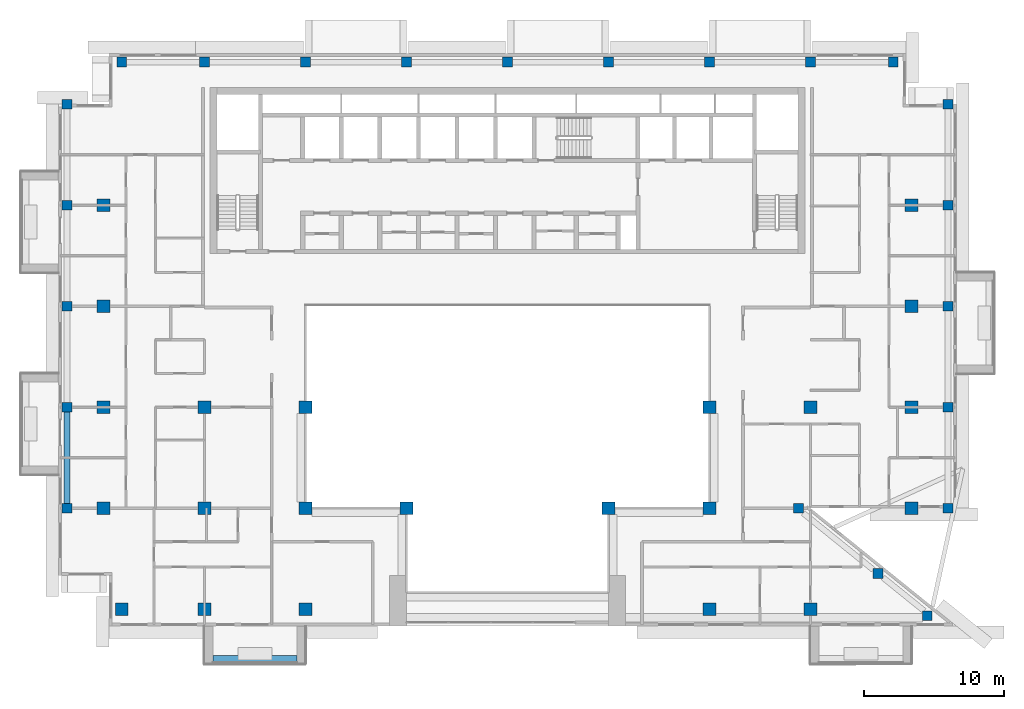
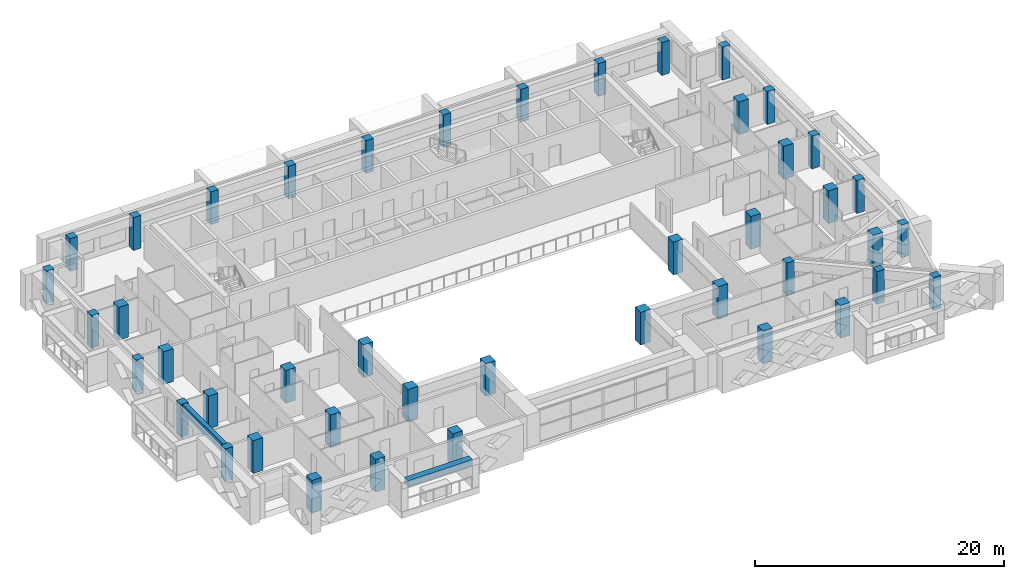
# One storey, part 1 of 19: 44 columns, 2 beams.
"""IFC4 building model written with IfcOpenShell, lengths in metres."""

from ifc_helpers import new_model, si_unit, direction, frame, origin, origin_2d, place, context, subcontext, project, spatial, rectangle, extrude, source, transform, mapped, material, material_profile, profile_set, type_object, element, save


model = new_model("IFC4")

# Units and contexts
model_context = context("Model", 3, precision=1e-05, world=origin(), true_north=direction((0.0, 1.0)))
body_context = subcontext(model_context, "Body", "Model", "MODEL_VIEW")
ifc_project = project(units=[si_unit("LENGTHUNIT", "METRE"), si_unit("AREAUNIT", "SQUARE_METRE"), si_unit("VOLUMEUNIT", "CUBIC_METRE"), si_unit("PLANEANGLEUNIT", "RADIAN"), si_unit("MASSUNIT", "GRAM", prefix="KILO")], contexts=[model_context])

# Site, building, storey
site_placement = place(None, origin())
site = spatial("IfcSite", under=ifc_project, at=site_placement, CompositionType="ELEMENT")
building_placement = place(site_placement, origin())
building = spatial("IfcBuilding", under=site, at=building_placement, Name="Saffron Iwan Residences", CompositionType="ELEMENT")
storey_placement = place(building_placement, frame((0.0, 0.0, 222.0)))
storey = spatial("IfcBuildingStorey", under=building, at=storey_placement, Name="L59", CompositionType="ELEMENT", Elevation=222.0)

# Columns
ifc_material_1 = material(Name="Concrete C40/50", Category="concrete")
ifc_material_profile_1 = material_profile(ifc_material_1, rectangle(XDim=0.89990234375, YDim=0.89990234375, at=origin_2d()), Name="RC 900x900")
ifc_profile_set_1 = profile_set([ifc_material_profile_1], Name="Concrete C40/50")
column_type_1 = type_object("IfcColumnType", Name="COL RC 900x900 C40/50 3220 HIGH", PredefinedType="COLUMN", material=ifc_profile_set_1)
shared_shape_1 = source(origin(), body_context, "Body", "SweptSolid", [
    extrude(rectangle(XDim=0.89990234375, YDim=0.89990234375, at=origin_2d()), origin(), (0.0, 0.0, 1.0), 3.219970703125),
])
for number, where, z_axis, x_axis, name in (
    (1, (22.89990234375, 40.800048828125, 0.0), (0.0, 0.0, 1.0), (1.0, 0.0, 0.0), "Column C050"),
    (2, (28.800048828125, 40.800048828125, 0.0), (0.0, 0.0, 1.0), (1.0, 0.0, 0.0), "Column C051"),
    (3, (36.0, 40.800048828125, 0.0), (0.0, 0.0, 1.0), (1.0, 0.0, 0.0), "Column C052"),
    (4, (64.800048828125, 40.800048828125, 0.0), (0.0, 0.0, 1.0), (1.0, 0.0, 0.0), "Column C055"),
    (5, (72.0, 40.800048828125, 0.0), (0.0, 0.0, 1.0), (1.0, 0.0, 0.0), "Column C056"),
    (6, (21.60009765625, 48.0, 0.0), (0.0, 0.0, 1.0), (1.0, 0.0, 0.0), "Column C063"),
    (7, (28.800048828125, 48.0, 0.0), (0.0, 0.0, 1.0), (1.0, 0.0, 0.0), "Column C064"),
    (8, (36.0, 48.0, 0.0), (0.0, 0.0, 1.0), (1.0, 0.0, 0.0), "Column C065"),
    (9, (43.199951171875, 48.0, 0.0), (0.0, 0.0, 1.0), (1.0, 0.0, 0.0), "Column C066"),
    (10, (57.60009765625, 48.0, 0.0), (0.0, 0.0, 1.0), (1.0, 0.0, 0.0), "Column C068"),
    (11, (64.800048828125, 48.0, 0.0), (0.0, 0.0, 1.0), (1.0, 0.0, 0.0), "Column C069"),
    (12, (79.199951171875, 48.0, 0.0), (0.0, 0.0, 1.0), (1.0, 0.0, 0.0), "Column C072"),
    (13, (21.60009765625, 55.199951171875, 0.0), (0.0, 0.0, 1.0), (1.0, 0.0, 0.0), "Column C079"),
    (14, (28.800048828125, 55.199951171875, 0.0), (0.0, 0.0, 1.0), (1.0, 0.0, 0.0), "Column C080"),
    (15, (36.0, 55.199951171875, 0.0), (0.0, 0.0, 1.0), (1.0, 0.0, 0.0), "Column C081"),
    (16, (64.800048828125, 55.199951171875, 0.0), (0.0, 0.0, 1.0), (1.0, 0.0, 0.0), "Column C082"),
    (17, (72.0, 55.199951171875, 0.0), (0.0, 0.0, 1.0), (1.0, 0.0, 0.0), "Column C083"),
    (18, (79.199951171875, 55.199951171875, 0.0), (0.0, 0.0, 1.0), (1.0, 0.0, 0.0), "Column C084"),
    (19, (21.60009765625, 62.39990234375, 0.0), (0.0, 0.0, 1.0), (1.0, 0.0, 0.0), "Column C091"),
    (20, (79.199951171875, 62.39990234375, 0.0), (0.0, 0.0, 1.0), (1.0, 0.0, 0.0), "Column C092"),
    (21, (21.60009765625, 69.60009765625, 0.0), (0.0, 0.0, 1.0), (1.0, 0.0, 0.0), "Column C099"),
    (22, (79.199951171875, 69.60009765625, 0.0), (0.0, 0.0, 1.0), (1.0, 0.0, 0.0), "Column C100"),
):
    element("IfcColumn", number, at=place(storey_placement, frame(where, z_axis=z_axis, x_axis=x_axis)), inside=storey, type_object=column_type_1, Name=name, PredefinedType="COLUMN", context=body_context, shape_type="MappedRepresentation", body=[
        mapped(shared_shape_1, transform((0.0, 0.0, 0.0))),
    ])
ifc_material_profile_2 = material_profile(ifc_material_1, rectangle(XDim=0.699951171875, YDim=0.699951171875, at=origin_2d()), Name="RC 700x700")
ifc_profile_set_2 = profile_set([ifc_material_profile_2], Name="Concrete C40/50")
column_type_2 = type_object("IfcColumnType", Name="COL RC 700x700 C40/50 3220 HIGH", PredefinedType="COLUMN", material=ifc_profile_set_2)
shared_shape_2 = source(origin(), body_context, "Body", "SweptSolid", [
    extrude(rectangle(XDim=0.699951171875, YDim=0.699951171875, at=origin_2d()), origin(), (0.0, 0.0, 1.0), 3.219970703125),
])
for number, where, z_axis, x_axis, name in (
    (23, (80.32568359375, 40.3330078125, 0.0), (0.0, 0.0, 1.0), (1.0, 0.0, 0.0), "Column C046"),
    (24, (76.822998046875, 43.333251953125, 0.0), (0.0, 0.0, 1.0), (1.0, 0.0, 0.0), "Column C057"),
    (25, (19.0, 48.0, 0.0), (0.0, 0.0, 1.0), (1.0, 0.0, 0.0), "Column C062"),
    (26, (71.14990234375, 48.0, 0.0), (0.0, 0.0, 1.0), (1.0, 0.0, 0.0), "Column C070"),
    (27, (81.800048828125, 48.0, 0.0), (0.0, 0.0, 1.0), (1.0, 0.0, 0.0), "Column C073"),
    (28, (19.0, 55.199951171875, 0.0), (0.0, 0.0, 1.0), (1.0, 0.0, 0.0), "Column C078"),
    (29, (81.800048828125, 55.199951171875, 0.0), (0.0, 0.0, 1.0), (1.0, 0.0, 0.0), "Column C085"),
    (30, (19.0, 62.39990234375, 0.0), (0.0, 0.0, 1.0), (1.0, 0.0, 0.0), "Column C090"),
    (31, (81.800048828125, 62.39990234375, 0.0), (0.0, 0.0, 1.0), (1.0, 0.0, 0.0), "Column C093"),
    (32, (19.0, 69.60009765625, 0.0), (0.0, 0.0, 1.0), (1.0, 0.0, 0.0), "Column C098"),
    (33, (81.800048828125, 69.60009765625, 0.0), (0.0, 0.0, 1.0), (1.0, 0.0, 0.0), "Column C101"),
    (34, (19.0, 76.800048828125, 0.0), (0.0, 0.0, 1.0), (1.0, 0.0, 0.0), "Column C106"),
    (35, (81.800048828125, 76.800048828125, 0.0), (0.0, 0.0, 1.0), (1.0, 0.0, 0.0), "Column C109"),
    (36, (22.89990234375, 79.800048828125, 0.0), (0.0, 0.0, 1.0), (1.0, 0.0, 0.0), "Column C114"),
    (37, (28.800048828125, 79.800048828125, 0.0), (0.0, 0.0, 1.0), (1.0, 0.0, 0.0), "Column C115"),
    (38, (36.0, 79.800048828125, 0.0), (0.0, 0.0, 1.0), (1.0, 0.0, 0.0), "Column C116"),
    (39, (43.199951171875, 79.800048828125, 0.0), (0.0, 0.0, 1.0), (1.0, 0.0, 0.0), "Column C117"),
    (40, (50.39990234375, 79.800048828125, 0.0), (0.0, 0.0, 1.0), (1.0, 0.0, 0.0), "Column C118"),
    (41, (57.60009765625, 79.800048828125, 0.0), (0.0, 0.0, 1.0), (1.0, 0.0, 0.0), "Column C119"),
    (42, (64.800048828125, 79.800048828125, 0.0), (0.0, 0.0, 1.0), (1.0, 0.0, 0.0), "Column C120"),
    (43, (72.0, 79.800048828125, 0.0), (0.0, 0.0, 1.0), (1.0, 0.0, 0.0), "Column C121"),
    (44, (77.89990234375, 79.800048828125, 0.0), (0.0, 0.0, 1.0), (1.0, 0.0, 0.0), "Column C122"),
):
    element("IfcColumn", number, at=place(storey_placement, frame(where, z_axis=z_axis, x_axis=x_axis)), inside=storey, type_object=column_type_2, Name=name, PredefinedType="COLUMN", context=body_context, shape_type="MappedRepresentation", body=[
        mapped(shared_shape_2, transform((0.0, 0.0, 0.0))),
    ])

# Beams
ifc_material_profile_3 = material_profile(ifc_material_1, rectangle(XDim=0.39990234375, YDim=0.89990234375, at=origin_2d()), Name="RC 400x900")
ifc_profile_set_3 = profile_set([ifc_material_profile_3], Name="Concrete C40/50")
beam_type_1 = type_object("IfcBeamType", Name="SPANDREL BEAM RC 400x900 C40/50 TOP 3220", PredefinedType="SPANDREL", material=ifc_profile_set_3)
shared_shape_3 = source(origin(), body_context, "Body", "SweptSolid", [
    extrude(rectangle(XDim=0.39990234375, YDim=0.89990234375, at=origin_2d()), origin(), (0.0, 0.0, 1.0), 6.5),
])
beam_1_placement = place(storey_placement, frame((19.0, 48.35009765625, 2.77001953125), z_axis=(0.0, 1.0, 0.0), x_axis=(-1.0, 0.0, 0.0)))
element("IfcBeam", 45, at=beam_1_placement, inside=storey, type_object=beam_type_1, Name="Spandrel beam", PredefinedType="SPANDREL", context=body_context, shape_type="MappedRepresentation", body=[
    mapped(shared_shape_3, transform((0.0, 0.0, 0.0))),
])
ifc_material_2 = material(Name="Concrete C50/60 white painted", Category="concrete")
ifc_material_profile_4 = material_profile(ifc_material_2, rectangle(XDim=0.60009765625, YDim=0.60009765625, at=origin_2d()), Name="BALCONY FASCIA BEAM 600 x 600")
ifc_profile_set_4 = profile_set([ifc_material_profile_4], Name="Concrete C50/60 white painted")
beam_type_2 = type_object("IfcBeamType", Name="BALCONY FASCIA BEAM 600 x 600", PredefinedType="BEAM", material=ifc_profile_set_4)
shared_shape_4 = source(origin(), body_context, "Body", "SweptSolid", [
    extrude(rectangle(XDim=0.60009765625, YDim=0.60009765625, at=origin_2d()), origin(), (0.0, 0.0, 1.0), 6.0),
])
beam_2_placement = place(storey_placement, frame((29.39990234375, 37.199951171875, 2.550048828125), z_axis=(1.0, 0.0, 0.0), x_axis=(0.0, 1.0, 0.0)))
element("IfcBeam", 46, at=beam_2_placement, inside=storey, type_object=beam_type_2, Name="Balcony fascia beam L59 11-0", PredefinedType="BEAM", context=body_context, shape_type="MappedRepresentation", body=[
    mapped(shared_shape_4, transform((0.0, 0.0, 0.0))),
])

save(model, "model.ifc")
